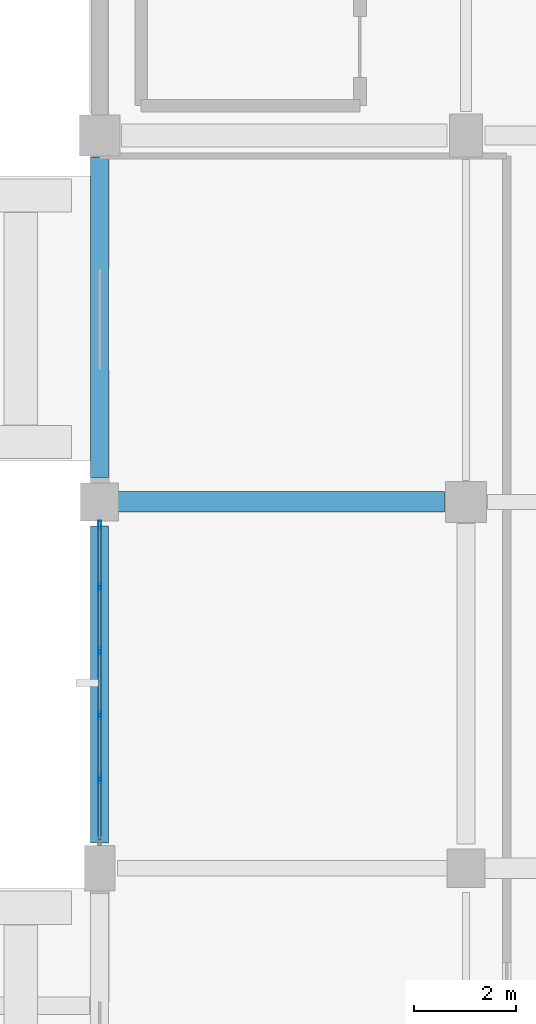
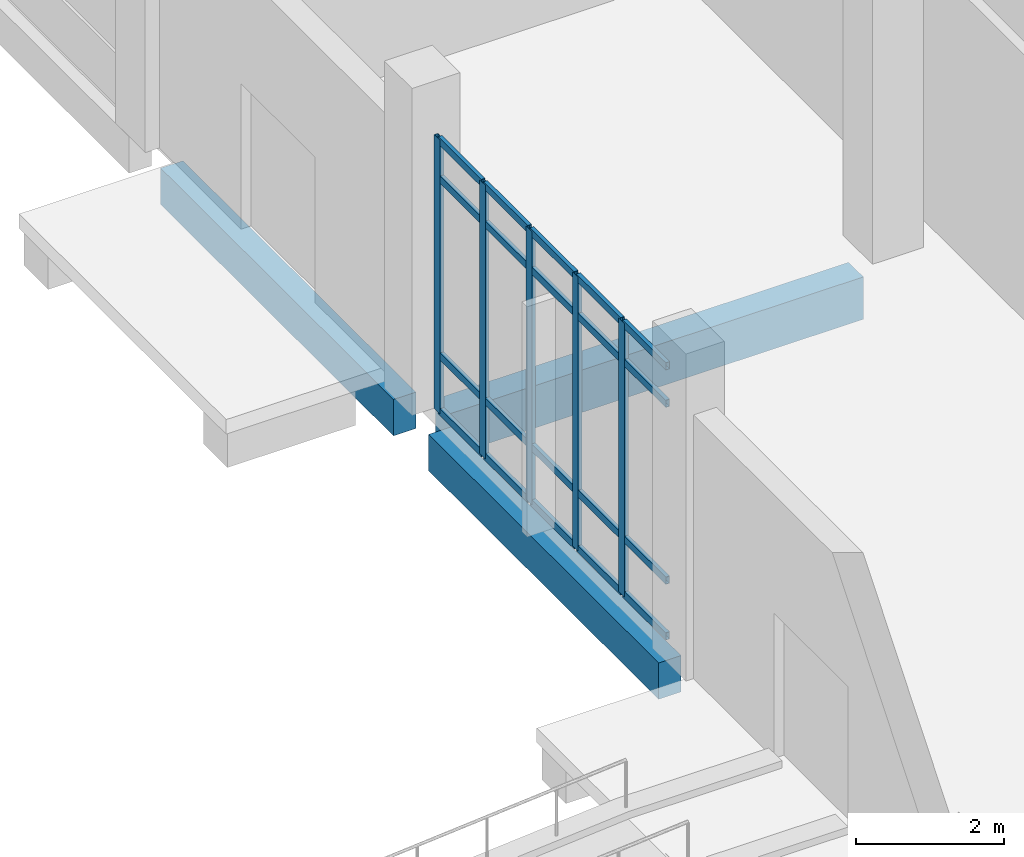
# One storey, part 13 of 110: 25 members, 3 beams, 1 element without a shape of its own.
"""IFC4 building model written with IfcOpenShell, lengths in metres."""

from ifc_helpers import new_model, si_unit, direction, frame, origin, origin_2d, place, context, subcontext, project, spatial, rectangle, hollow_rectangle, extrude, material, material_profile, profile_set, type_object, element, aggregate, save


model = new_model("IFC4")

# Units and contexts
model_context = context("Model", 3, precision=1e-05, world=origin(), true_north=direction((0.0, 1.0)))
body_context = subcontext(model_context, "Body", "Model", "MODEL_VIEW")
ifc_project = project(units=[si_unit("LENGTHUNIT", "METRE"), si_unit("AREAUNIT", "SQUARE_METRE"), si_unit("VOLUMEUNIT", "CUBIC_METRE"), si_unit("PLANEANGLEUNIT", "RADIAN"), si_unit("MASSUNIT", "GRAM", prefix="KILO")], contexts=[model_context])

# Site, building, storey
site_placement = place(None, origin())
site = spatial("IfcSite", under=ifc_project, at=site_placement, CompositionType="ELEMENT")
building_placement = place(site_placement, origin())
building = spatial("IfcBuilding", under=site, at=building_placement, Name="Kalluvel Institute of Natural Sciences", CompositionType="ELEMENT")
storey_placement = place(building_placement, origin())
storey = spatial("IfcBuildingStorey", under=building, at=storey_placement, Name="L00", CompositionType="ELEMENT", Elevation=0.0)

# Curtain wall, members
ifc_material_1 = material(Name="Aluminium AW-6063 T6", Category="aluminium")
curtain_wall_type = type_object("IfcCurtainWallType", Name="CW-DRY-54", PredefinedType="USERDEFINED", material=ifc_material_1)
curtain_wall_placement = place(storey_placement, origin())
curtain_wall = element("IfcCurtainWall", 1, at=curtain_wall_placement, inside=storey, type_object=curtain_wall_type, Name="L00 Gothic lancet curtain wall CWA-L00-X140-Y289", ObjectType="UNITISED LANCET FACADE", PredefinedType="USERDEFINED")
ifc_material_profile_1 = material_profile(ifc_material_1, hollow_rectangle(XDim=0.06005859375, YDim=0.159912109375, WallThickness=0.00390625, at=origin_2d()), Name="CWM 60x160")
ifc_profile_set_1 = profile_set([ifc_material_profile_1], Name="Aluminium AW-6063 T6")
member_type_1 = type_object("IfcMemberType", Name="CWM-60x160", PredefinedType="MULLION", material=ifc_profile_set_1)
member_1_placement = place(storey_placement, frame((14.0, 30.155029296875, 0.0), z_axis=(0.0, 0.0, 1.0), x_axis=(-1.0, 0.0, 0.0)))
member_1 = element("IfcMember", 2, at=member_1_placement, type_object=member_type_1, Name="CW-04 mullion 2", PredefinedType="MULLION", context=body_context, shape_type="SweptSolid", body=[
    extrude(hollow_rectangle(XDim=0.06005859375, YDim=0.159912109375, WallThickness=0.00390625, at=origin_2d()), origin(), (0.0, 0.0, 1.0), 4.52001953125),
])
member_2_placement = place(storey_placement, frame((14.0, 31.409912109375, 0.0), z_axis=(0.0, 0.0, 1.0), x_axis=(-1.0, 0.0, 0.0)))
member_2 = element("IfcMember", 3, at=member_2_placement, type_object=member_type_1, Name="CW-04 mullion 3", PredefinedType="MULLION", context=body_context, shape_type="SweptSolid", body=[
    extrude(hollow_rectangle(XDim=0.06005859375, YDim=0.159912109375, WallThickness=0.00390625, at=origin_2d()), origin(), (0.0, 0.0, 1.0), 4.52001953125),
])
member_3_placement = place(storey_placement, frame((14.0, 32.6650390625, 0.0), z_axis=(0.0, 0.0, 1.0), x_axis=(-1.0, 0.0, 0.0)))
member_3 = element("IfcMember", 4, at=member_3_placement, type_object=member_type_1, Name="CW-04 mullion 4", PredefinedType="MULLION", context=body_context, shape_type="SweptSolid", body=[
    extrude(hollow_rectangle(XDim=0.06005859375, YDim=0.159912109375, WallThickness=0.00390625, at=origin_2d()), origin(), (0.0, 0.0, 1.0), 4.52001953125),
])
member_4_placement = place(storey_placement, frame((14.0, 33.919921875, 0.0), z_axis=(0.0, 0.0, 1.0), x_axis=(-1.0, 0.0, 0.0)))
member_4 = element("IfcMember", 5, at=member_4_placement, type_object=member_type_1, Name="CW-04 mullion 5", PredefinedType="MULLION", context=body_context, shape_type="SweptSolid", body=[
    extrude(hollow_rectangle(XDim=0.06005859375, YDim=0.159912109375, WallThickness=0.00390625, at=origin_2d()), origin(), (0.0, 0.0, 1.0), 4.52001953125),
])
member_5_placement = place(storey_placement, frame((14.0, 35.14501953125, 0.0), z_axis=(0.0, 0.0, 1.0), x_axis=(-1.0, 0.0, 0.0)))
member_5 = element("IfcMember", 6, at=member_5_placement, type_object=member_type_1, Name="CW-04 mullion 6", PredefinedType="MULLION", context=body_context, shape_type="SweptSolid", body=[
    extrude(hollow_rectangle(XDim=0.06005859375, YDim=0.159912109375, WallThickness=0.00390625, at=origin_2d()), origin(), (0.0, 0.0, 1.0), 4.52001953125),
])
ifc_material_profile_2 = material_profile(ifc_material_1, hollow_rectangle(XDim=0.06005859375, YDim=0.1201171875, WallThickness=0.00390625, at=origin_2d()), Name="CWT 60x120")
ifc_profile_set_2 = profile_set([ifc_material_profile_2], Name="Aluminium AW-6063 T6")
member_type_2 = type_object("IfcMemberType", Name="CWT-60x120", PredefinedType="USERDEFINED", material=ifc_profile_set_2)
member_6_placement = place(storey_placement, frame((14.0, 28.9599609375, 0.030029296875), z_axis=(0.0, 1.0, 0.0), x_axis=(-1.0, 0.0, 0.0)))
member_6 = element("IfcMember", 7, at=member_6_placement, type_object=member_type_2, Name="CW-04 transom 1.1", ObjectType="TRANSOM", PredefinedType="USERDEFINED", context=body_context, shape_type="SweptSolid", body=[
    extrude(hollow_rectangle(XDim=0.06005859375, YDim=0.1201171875, WallThickness=0.00390625, at=origin_2d()), origin(), (0.0, 0.0, 1.0), 1.1650390625),
])
member_7_placement = place(storey_placement, frame((14.0, 28.9599609375, 0.949951171875), z_axis=(0.0, 1.0, 0.0), x_axis=(-1.0, 0.0, 0.0)))
member_7 = element("IfcMember", 8, at=member_7_placement, type_object=member_type_2, Name="CW-04 transom 1.2", ObjectType="TRANSOM", PredefinedType="USERDEFINED", context=body_context, shape_type="SweptSolid", body=[
    extrude(hollow_rectangle(XDim=0.06005859375, YDim=0.1201171875, WallThickness=0.00390625, at=origin_2d()), origin(), (0.0, 0.0, 1.0), 1.1650390625),
])
member_8_placement = place(storey_placement, frame((14.0, 28.9599609375, 3.8701171875), z_axis=(0.0, 1.0, 0.0), x_axis=(-1.0, 0.0, 0.0)))
member_8 = element("IfcMember", 9, at=member_8_placement, type_object=member_type_2, Name="CW-04 transom 1.3", ObjectType="TRANSOM", PredefinedType="USERDEFINED", context=body_context, shape_type="SweptSolid", body=[
    extrude(hollow_rectangle(XDim=0.06005859375, YDim=0.1201171875, WallThickness=0.00390625, at=origin_2d()), origin(), (0.0, 0.0, 1.0), 1.1650390625),
])
member_9_placement = place(storey_placement, frame((14.0, 28.9599609375, 4.489990234375), z_axis=(0.0, 1.0, 0.0), x_axis=(-1.0, 0.0, 0.0)))
member_9 = element("IfcMember", 10, at=member_9_placement, type_object=member_type_2, Name="CW-04 transom 1.4", ObjectType="TRANSOM", PredefinedType="USERDEFINED", context=body_context, shape_type="SweptSolid", body=[
    extrude(hollow_rectangle(XDim=0.06005859375, YDim=0.1201171875, WallThickness=0.00390625, at=origin_2d()), origin(), (0.0, 0.0, 1.0), 1.1650390625),
])
member_10_placement = place(storey_placement, frame((14.0, 30.18505859375, 0.030029296875), z_axis=(0.0, 1.0, 0.0), x_axis=(-1.0, 0.0, 0.0)))
member_10 = element("IfcMember", 11, at=member_10_placement, type_object=member_type_2, Name="CW-04 transom 2.1", ObjectType="TRANSOM", PredefinedType="USERDEFINED", context=body_context, shape_type="SweptSolid", body=[
    extrude(hollow_rectangle(XDim=0.06005859375, YDim=0.1201171875, WallThickness=0.00390625, at=origin_2d()), origin(), (0.0, 0.0, 1.0), 1.19482421875),
])
member_11_placement = place(storey_placement, frame((14.0, 30.18505859375, 0.949951171875), z_axis=(0.0, 1.0, 0.0), x_axis=(-1.0, 0.0, 0.0)))
member_11 = element("IfcMember", 12, at=member_11_placement, type_object=member_type_2, Name="CW-04 transom 2.2", ObjectType="TRANSOM", PredefinedType="USERDEFINED", context=body_context, shape_type="SweptSolid", body=[
    extrude(hollow_rectangle(XDim=0.06005859375, YDim=0.1201171875, WallThickness=0.00390625, at=origin_2d()), origin(), (0.0, 0.0, 1.0), 1.19482421875),
])
member_12_placement = place(storey_placement, frame((14.0, 30.18505859375, 3.8701171875), z_axis=(0.0, 1.0, 0.0), x_axis=(-1.0, 0.0, 0.0)))
member_12 = element("IfcMember", 13, at=member_12_placement, type_object=member_type_2, Name="CW-04 transom 2.3", ObjectType="TRANSOM", PredefinedType="USERDEFINED", context=body_context, shape_type="SweptSolid", body=[
    extrude(hollow_rectangle(XDim=0.06005859375, YDim=0.1201171875, WallThickness=0.00390625, at=origin_2d()), origin(), (0.0, 0.0, 1.0), 1.19482421875),
])
member_13_placement = place(storey_placement, frame((14.0, 30.18505859375, 4.489990234375), z_axis=(0.0, 1.0, 0.0), x_axis=(-1.0, 0.0, 0.0)))
member_13 = element("IfcMember", 14, at=member_13_placement, type_object=member_type_2, Name="CW-04 transom 2.4", ObjectType="TRANSOM", PredefinedType="USERDEFINED", context=body_context, shape_type="SweptSolid", body=[
    extrude(hollow_rectangle(XDim=0.06005859375, YDim=0.1201171875, WallThickness=0.00390625, at=origin_2d()), origin(), (0.0, 0.0, 1.0), 1.19482421875),
])
member_14_placement = place(storey_placement, frame((14.0, 31.43994140625, 0.030029296875), z_axis=(0.0, 1.0, 0.0), x_axis=(-1.0, 0.0, 0.0)))
member_14 = element("IfcMember", 15, at=member_14_placement, type_object=member_type_2, Name="CW-04 transom 3.1", ObjectType="TRANSOM", PredefinedType="USERDEFINED", context=body_context, shape_type="SweptSolid", body=[
    extrude(hollow_rectangle(XDim=0.06005859375, YDim=0.1201171875, WallThickness=0.00390625, at=origin_2d()), origin(), (0.0, 0.0, 1.0), 1.195068359375),
])
member_15_placement = place(storey_placement, frame((14.0, 31.43994140625, 0.949951171875), z_axis=(0.0, 1.0, 0.0), x_axis=(-1.0, 0.0, 0.0)))
member_15 = element("IfcMember", 16, at=member_15_placement, type_object=member_type_2, Name="CW-04 transom 3.2", ObjectType="TRANSOM", PredefinedType="USERDEFINED", context=body_context, shape_type="SweptSolid", body=[
    extrude(hollow_rectangle(XDim=0.06005859375, YDim=0.1201171875, WallThickness=0.00390625, at=origin_2d()), origin(), (0.0, 0.0, 1.0), 1.195068359375),
])
member_16_placement = place(storey_placement, frame((14.0, 31.43994140625, 3.8701171875), z_axis=(0.0, 1.0, 0.0), x_axis=(-1.0, 0.0, 0.0)))
member_16 = element("IfcMember", 17, at=member_16_placement, type_object=member_type_2, Name="CW-04 transom 3.3", ObjectType="TRANSOM", PredefinedType="USERDEFINED", context=body_context, shape_type="SweptSolid", body=[
    extrude(hollow_rectangle(XDim=0.06005859375, YDim=0.1201171875, WallThickness=0.00390625, at=origin_2d()), origin(), (0.0, 0.0, 1.0), 1.195068359375),
])
member_17_placement = place(storey_placement, frame((14.0, 31.43994140625, 4.489990234375), z_axis=(0.0, 1.0, 0.0), x_axis=(-1.0, 0.0, 0.0)))
member_17 = element("IfcMember", 18, at=member_17_placement, type_object=member_type_2, Name="CW-04 transom 3.4", ObjectType="TRANSOM", PredefinedType="USERDEFINED", context=body_context, shape_type="SweptSolid", body=[
    extrude(hollow_rectangle(XDim=0.06005859375, YDim=0.1201171875, WallThickness=0.00390625, at=origin_2d()), origin(), (0.0, 0.0, 1.0), 1.195068359375),
])
member_18_placement = place(storey_placement, frame((14.0, 32.695068359375, 0.030029296875), z_axis=(0.0, 1.0, 0.0), x_axis=(-1.0, 0.0, 0.0)))
member_18 = element("IfcMember", 19, at=member_18_placement, type_object=member_type_2, Name="CW-04 transom 4.1", ObjectType="TRANSOM", PredefinedType="USERDEFINED", context=body_context, shape_type="SweptSolid", body=[
    extrude(hollow_rectangle(XDim=0.06005859375, YDim=0.1201171875, WallThickness=0.00390625, at=origin_2d()), origin(), (0.0, 0.0, 1.0), 1.19482421875),
])
member_19_placement = place(storey_placement, frame((14.0, 32.695068359375, 0.949951171875), z_axis=(0.0, 1.0, 0.0), x_axis=(-1.0, 0.0, 0.0)))
member_19 = element("IfcMember", 20, at=member_19_placement, type_object=member_type_2, Name="CW-04 transom 4.2", ObjectType="TRANSOM", PredefinedType="USERDEFINED", context=body_context, shape_type="SweptSolid", body=[
    extrude(hollow_rectangle(XDim=0.06005859375, YDim=0.1201171875, WallThickness=0.00390625, at=origin_2d()), origin(), (0.0, 0.0, 1.0), 1.19482421875),
])
member_20_placement = place(storey_placement, frame((14.0, 32.695068359375, 3.8701171875), z_axis=(0.0, 1.0, 0.0), x_axis=(-1.0, 0.0, 0.0)))
member_20 = element("IfcMember", 21, at=member_20_placement, type_object=member_type_2, Name="CW-04 transom 4.3", ObjectType="TRANSOM", PredefinedType="USERDEFINED", context=body_context, shape_type="SweptSolid", body=[
    extrude(hollow_rectangle(XDim=0.06005859375, YDim=0.1201171875, WallThickness=0.00390625, at=origin_2d()), origin(), (0.0, 0.0, 1.0), 1.19482421875),
])
member_21_placement = place(storey_placement, frame((14.0, 32.695068359375, 4.489990234375), z_axis=(0.0, 1.0, 0.0), x_axis=(-1.0, 0.0, 0.0)))
member_21 = element("IfcMember", 22, at=member_21_placement, type_object=member_type_2, Name="CW-04 transom 4.4", ObjectType="TRANSOM", PredefinedType="USERDEFINED", context=body_context, shape_type="SweptSolid", body=[
    extrude(hollow_rectangle(XDim=0.06005859375, YDim=0.1201171875, WallThickness=0.00390625, at=origin_2d()), origin(), (0.0, 0.0, 1.0), 1.19482421875),
])
member_22_placement = place(storey_placement, frame((14.0, 33.949951171875, 0.030029296875), z_axis=(0.0, 1.0, 0.0), x_axis=(-1.0, 0.0, 0.0)))
member_22 = element("IfcMember", 23, at=member_22_placement, type_object=member_type_2, Name="CW-04 transom 5.1", ObjectType="TRANSOM", PredefinedType="USERDEFINED", context=body_context, shape_type="SweptSolid", body=[
    extrude(hollow_rectangle(XDim=0.06005859375, YDim=0.1201171875, WallThickness=0.00390625, at=origin_2d()), origin(), (0.0, 0.0, 1.0), 1.1650390625),
])
member_23_placement = place(storey_placement, frame((14.0, 33.949951171875, 0.949951171875), z_axis=(0.0, 1.0, 0.0), x_axis=(-1.0, 0.0, 0.0)))
member_23 = element("IfcMember", 24, at=member_23_placement, type_object=member_type_2, Name="CW-04 transom 5.2", ObjectType="TRANSOM", PredefinedType="USERDEFINED", context=body_context, shape_type="SweptSolid", body=[
    extrude(hollow_rectangle(XDim=0.06005859375, YDim=0.1201171875, WallThickness=0.00390625, at=origin_2d()), origin(), (0.0, 0.0, 1.0), 1.1650390625),
])
member_24_placement = place(storey_placement, frame((14.0, 33.949951171875, 3.8701171875), z_axis=(0.0, 1.0, 0.0), x_axis=(-1.0, 0.0, 0.0)))
member_24 = element("IfcMember", 25, at=member_24_placement, type_object=member_type_2, Name="CW-04 transom 5.3", ObjectType="TRANSOM", PredefinedType="USERDEFINED", context=body_context, shape_type="SweptSolid", body=[
    extrude(hollow_rectangle(XDim=0.06005859375, YDim=0.1201171875, WallThickness=0.00390625, at=origin_2d()), origin(), (0.0, 0.0, 1.0), 1.1650390625),
])
member_25_placement = place(storey_placement, frame((14.0, 33.949951171875, 4.489990234375), z_axis=(0.0, 1.0, 0.0), x_axis=(-1.0, 0.0, 0.0)))
member_25 = element("IfcMember", 26, at=member_25_placement, type_object=member_type_2, Name="CW-04 transom 5.4", ObjectType="TRANSOM", PredefinedType="USERDEFINED", context=body_context, shape_type="SweptSolid", body=[
    extrude(hollow_rectangle(XDim=0.06005859375, YDim=0.1201171875, WallThickness=0.00390625, at=origin_2d()), origin(), (0.0, 0.0, 1.0), 1.1650390625),
])
aggregate(curtain_wall, [member_1, member_2, member_3, member_4, member_5, member_6, member_7, member_8, member_9, member_10, member_11, member_12, member_13, member_14, member_15, member_16, member_17, member_18, member_19, member_20, member_21, member_22, member_23, member_24, member_25])

# Beams
ifc_material_2 = material(Name="Concrete M40", Category="concrete")
ifc_material_profile_3 = material_profile(ifc_material_2, rectangle(XDim=0.35009765625, YDim=0.60009765625, at=origin_2d()), Name="RCB 350x600")
ifc_profile_set_3 = profile_set([ifc_material_profile_3], Name="Concrete M40")
beam_type_1 = type_object("IfcBeamType", Name="SP-RC350x600", PredefinedType="SPANDREL", material=ifc_profile_set_3)
beam_1_placement = place(storey_placement, frame((14.0, 28.89990234375, -0.6201171875), z_axis=(0.0, 1.0, 0.0), x_axis=(-1.0, 0.0, 0.0)))
element("IfcBeam", 27, at=beam_1_placement, inside=storey, type_object=beam_type_1, Name="L00 girder GIR-L00-NS-X140-Y284", PredefinedType="SPANDREL", context=body_context, shape_type="SweptSolid", body=[
    extrude(rectangle(XDim=0.35009765625, YDim=0.60009765625, at=origin_2d()), origin(), (0.0, 0.0, 1.0), 6.22509765625),
])
beam_2_placement = place(storey_placement, frame((14.0, 36.074951171875, -0.6201171875), z_axis=(0.0, 1.0, 0.0), x_axis=(-1.0, 0.0, 0.0)))
element("IfcBeam", 28, at=beam_2_placement, inside=storey, type_object=beam_type_1, Name="L00 girder GIR-L00-NS-X140-Y356", PredefinedType="SPANDREL", context=body_context, shape_type="SweptSolid", body=[
    extrude(rectangle(XDim=0.35009765625, YDim=0.60009765625, at=origin_2d()), origin(), (0.0, 0.0, 1.0), 6.300048828125),
])
ifc_material_profile_4 = material_profile(ifc_material_2, rectangle(XDim=0.39990234375, YDim=0.699951171875, at=origin_2d()), Name="RCB 400x700")
ifc_profile_set_4 = profile_set([ifc_material_profile_4], Name="Concrete M40")
beam_type_2 = type_object("IfcBeamType", Name="SP-RC400x700", PredefinedType="SPANDREL", material=ifc_profile_set_4)
beam_3_placement = place(storey_placement, frame((14.324951171875, 35.60009765625, -0.669921875), z_axis=(1.0, 0.0, 0.0), x_axis=(0.0, 1.0, 0.0)))
element("IfcBeam", 29, at=beam_3_placement, inside=storey, type_object=beam_type_2, Name="L00 girder GIR-L00-EW-X140-Y356", PredefinedType="SPANDREL", context=body_context, shape_type="SweptSolid", body=[
    extrude(rectangle(XDim=0.39990234375, YDim=0.699951171875, at=origin_2d()), origin(), (0.0, 0.0, 1.0), 6.449951171875),
])

save(model, "model.ifc")
